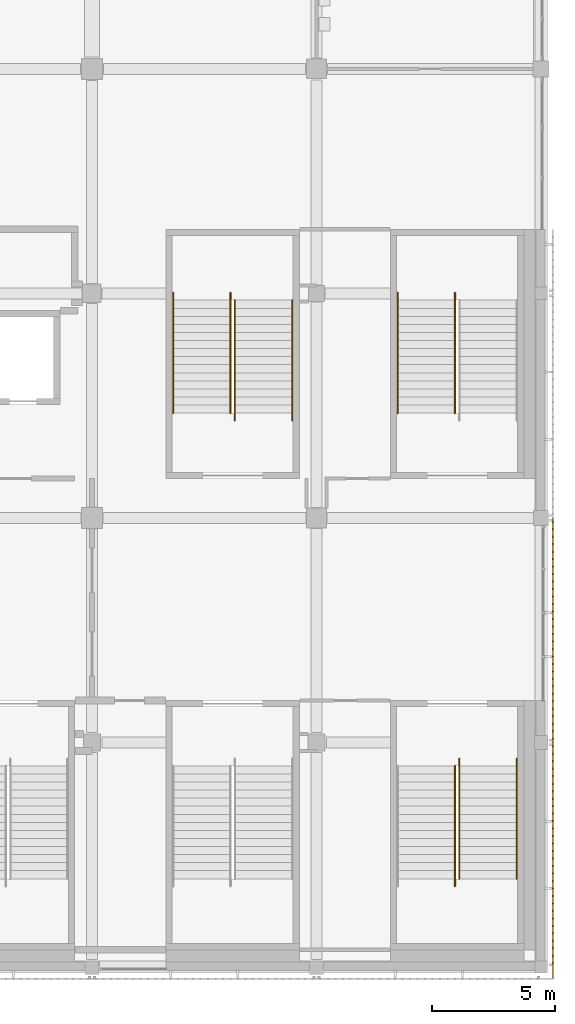
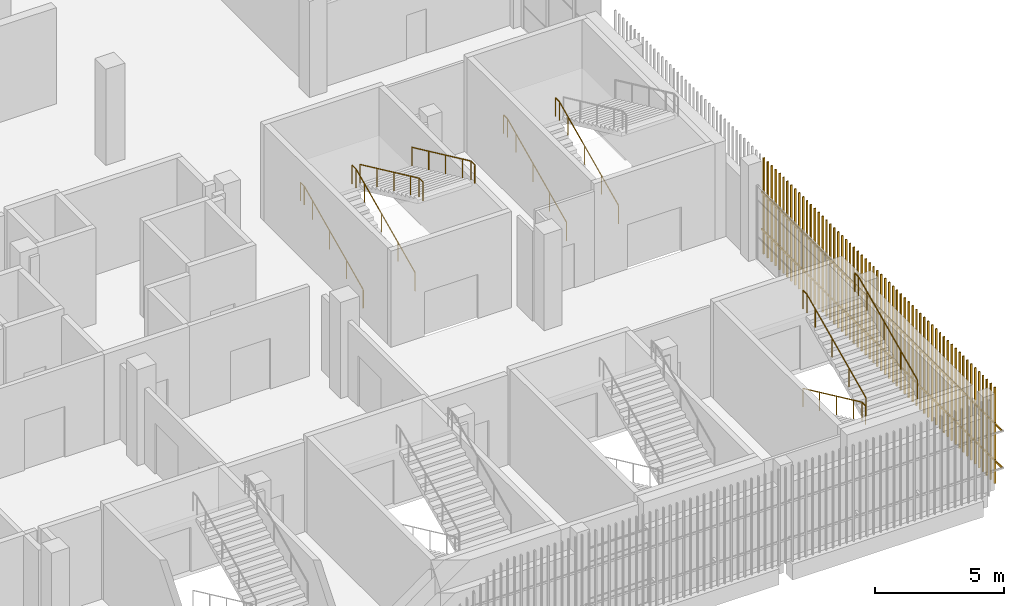
# One storey, part 121 of 126: 9 railings, 2 shading devices.
"""IFC4 building model written with IfcOpenShell, lengths in metres."""

from ifc_helpers import new_model, si_unit, direction, frame, origin, origin_2d, place, context, subcontext, project, spatial, rectangle, circle, extrude, material, type_object, element, save


model = new_model("IFC4")

# Units and contexts
model_context = context("Model", 3, precision=1e-05, world=origin(), true_north=direction((0.0, 1.0)))
body_context = subcontext(model_context, "Body", "Model", "MODEL_VIEW")
ifc_project = project(units=[si_unit("LENGTHUNIT", "METRE"), si_unit("AREAUNIT", "SQUARE_METRE"), si_unit("VOLUMEUNIT", "CUBIC_METRE"), si_unit("PLANEANGLEUNIT", "RADIAN"), si_unit("MASSUNIT", "GRAM", prefix="KILO")], contexts=[model_context])

# Site, building, storey
site_placement = place(None, origin())
site = spatial("IfcSite", under=ifc_project, at=site_placement, CompositionType="ELEMENT")
building_placement = place(site_placement, origin())
building = spatial("IfcBuilding", under=site, at=building_placement, Name="Shirokan Park Arena", CompositionType="ELEMENT")
storey_placement = place(building_placement, frame((0.0, 0.0, 6.3701171875)))
storey = spatial("IfcBuildingStorey", under=building, at=storey_placement, Name="L01", CompositionType="ELEMENT", Elevation=6.3701171875)

# Railings
ifc_material_1 = material(Name="Stainless steel", Category="steel")
railing_type = type_object("IfcRailingType", Name="Stair handrail 900", PredefinedType="HANDRAIL", material=ifc_material_1)
railing_1_placement = place(storey_placement, frame((142.110107421875, 8.14990234375, 0.151611328125)))
element("IfcRailing", 1, at=railing_1_placement, inside=storey, type_object=railing_type, Name="Handrail Exit Stair 2.A L01 to L02", PredefinedType="HANDRAIL", context=body_context, shape_type="SweptSolid", body=[
    extrude(circle(Radius=0.02392578125, at=origin_2d()), frame((0.0, 0.0, 0.8759765625), z_axis=(0.0, -0.906999720516, 0.421131222998), x_axis=(1.0, 0.0, 0.0)), (0.0, 0.0, 1.0), 1.440673828125),
    extrude(circle(Radius=0.02392578125, at=origin_2d()), frame((0.0, -1.306640625, 1.482421875), z_axis=(0.0, -0.907029769225, 0.421066500378), x_axis=(1.0, 0.0, 0.0)), (0.0, 0.0, 1.0), 1.44091796875),
    extrude(circle(Radius=0.02392578125, at=origin_2d()), frame((0.0, -2.613525390625, 2.08935546875), z_axis=(0.0, -0.907094476872, 0.420927083981), x_axis=(1.0, 0.0, 0.0)), (0.0, 0.0, 1.0), 1.440673828125),
    extrude(circle(Radius=0.02392578125, at=origin_2d()), frame((0.0, -3.92041015625, 2.69580078125), z_axis=(0.0, -0.906934982928, 0.421270621741), x_axis=(1.0, 0.0, 0.0)), (0.0, 0.0, 1.0), 0.720458984375),
    extrude(circle(Radius=0.02392578125, at=origin_2d()), frame((0.0, -4.57373046875, 2.9990234375), z_axis=(0.0, -1.0, 0.0), x_axis=(1.0, 0.0, 0.0)), (0.0, 0.0, 1.0), 0.300048828125),
    extrude(circle(Radius=0.02099609375, at=origin_2d()), origin(), (0.0, 0.0, 1.0), 0.851806640625),
    extrude(circle(Radius=0.02099609375, at=origin_2d()), frame((0.0, -1.306640625, 0.606689453125)), (0.0, 0.0, 1.0), 0.851806640625),
    extrude(circle(Radius=0.02099609375, at=origin_2d()), frame((0.0, -2.613525390625, 1.21337890625)), (0.0, 0.0, 1.0), 0.851806640625),
    extrude(circle(Radius=0.02099609375, at=origin_2d()), frame((0.0, -3.92041015625, 1.81982421875)), (0.0, 0.0, 1.0), 0.851806640625),
    extrude(circle(Radius=0.02099609375, at=origin_2d()), frame((0.0, -4.57373046875, 2.123291015625)), (0.0, 0.0, 1.0), 0.851806640625),
    extrude(circle(Radius=0.02099609375, at=origin_2d()), frame((0.0, -4.873779296875, 2.123291015625)), (0.0, 0.0, 1.0), 0.851806640625),
])
railing_2_placement = place(storey_placement, frame((142.2900390625, 3.576171875, 2.426513671875)))
element("IfcRailing", 2, at=railing_2_placement, inside=storey, type_object=railing_type, Name="Handrail Exit Stair 2.A L01 to L02", PredefinedType="HANDRAIL", context=body_context, shape_type="SweptSolid", body=[
    extrude(circle(Radius=0.02392578125, at=origin_2d()), frame((0.0, 0.0, 0.8759765625), z_axis=(0.0, 0.907029769225, 0.421066500378), x_axis=(-1.0, 0.0, 0.0)), (0.0, 0.0, 1.0), 1.44091796875),
    extrude(circle(Radius=0.02392578125, at=origin_2d()), frame((0.0, 1.306884765625, 1.482421875), z_axis=(0.0, 0.906999720516, 0.421131222998), x_axis=(-1.0, 0.0, 0.0)), (0.0, 0.0, 1.0), 1.440673828125),
    extrude(circle(Radius=0.02392578125, at=origin_2d()), frame((0.0, 2.613525390625, 2.08935546875), z_axis=(0.0, 0.907029769225, 0.421066500378), x_axis=(-1.0, 0.0, 0.0)), (0.0, 0.0, 1.0), 1.44091796875),
    extrude(circle(Radius=0.02392578125, at=origin_2d()), frame((0.0, 3.92041015625, 2.69580078125), z_axis=(0.0, 0.907064445915, 0.420991794405), x_axis=(-1.0, 0.0, 0.0)), (0.0, 0.0, 1.0), 0.72021484375),
    extrude(circle(Radius=0.02392578125, at=origin_2d()), frame((0.0, 4.57373046875, 2.9990234375), z_axis=(0.0, 1.0, 0.0), x_axis=(-1.0, 0.0, 0.0)), (0.0, 0.0, 1.0), 0.300048828125),
    extrude(circle(Radius=0.02099609375, at=origin_2d()), origin(), (0.0, 0.0, 1.0), 0.851806640625),
    extrude(circle(Radius=0.02099609375, at=origin_2d()), frame((0.0, 1.306884765625, 0.606689453125)), (0.0, 0.0, 1.0), 0.851806640625),
    extrude(circle(Radius=0.02099609375, at=origin_2d()), frame((0.0, 2.613525390625, 1.21337890625)), (0.0, 0.0, 1.0), 0.851806640625),
    extrude(circle(Radius=0.02099609375, at=origin_2d()), frame((0.0, 3.92041015625, 1.820068359375)), (0.0, 0.0, 1.0), 0.851806640625),
    extrude(circle(Radius=0.02099609375, at=origin_2d()), frame((0.0, 4.57373046875, 2.123291015625)), (0.0, 0.0, 1.0), 0.851806640625),
    extrude(circle(Radius=0.02099609375, at=origin_2d()), frame((0.0, 4.873779296875, 2.123291015625)), (0.0, 0.0, 1.0), 0.851806640625),
])
railing_3_placement = place(storey_placement, frame((144.610107421875, 3.576171875, 2.426513671875)))
element("IfcRailing", 3, at=railing_3_placement, inside=storey, type_object=railing_type, Name="Handrail Exit Stair 2.A L01 to L02", PredefinedType="HANDRAIL", context=body_context, shape_type="SweptSolid", body=[
    extrude(circle(Radius=0.02392578125, at=origin_2d()), frame((0.0, 0.0, 0.8759765625), z_axis=(0.0, 0.907029769225, 0.421066500378), x_axis=(-1.0, 0.0, 0.0)), (0.0, 0.0, 1.0), 1.44091796875),
    extrude(circle(Radius=0.02392578125, at=origin_2d()), frame((0.0, 1.306884765625, 1.482421875), z_axis=(0.0, 0.906999720516, 0.421131222998), x_axis=(-1.0, 0.0, 0.0)), (0.0, 0.0, 1.0), 1.440673828125),
    extrude(circle(Radius=0.02392578125, at=origin_2d()), frame((0.0, 2.613525390625, 2.08935546875), z_axis=(0.0, 0.907029769225, 0.421066500378), x_axis=(-1.0, 0.0, 0.0)), (0.0, 0.0, 1.0), 1.44091796875),
    extrude(circle(Radius=0.02392578125, at=origin_2d()), frame((0.0, 3.92041015625, 2.69580078125), z_axis=(0.0, 0.907064445915, 0.420991794405), x_axis=(-1.0, 0.0, 0.0)), (0.0, 0.0, 1.0), 0.72021484375),
    extrude(circle(Radius=0.02392578125, at=origin_2d()), frame((0.0, 4.57373046875, 2.9990234375), z_axis=(0.0, 1.0, 0.0), x_axis=(-1.0, 0.0, 0.0)), (0.0, 0.0, 1.0), 0.300048828125),
    extrude(circle(Radius=0.02099609375, at=origin_2d()), origin(), (0.0, 0.0, 1.0), 0.851806640625),
    extrude(circle(Radius=0.02099609375, at=origin_2d()), frame((0.0, 1.306884765625, 0.606689453125)), (0.0, 0.0, 1.0), 0.851806640625),
    extrude(circle(Radius=0.02099609375, at=origin_2d()), frame((0.0, 2.613525390625, 1.21337890625)), (0.0, 0.0, 1.0), 0.851806640625),
    extrude(circle(Radius=0.02099609375, at=origin_2d()), frame((0.0, 3.92041015625, 1.820068359375)), (0.0, 0.0, 1.0), 0.851806640625),
    extrude(circle(Radius=0.02099609375, at=origin_2d()), frame((0.0, 4.57373046875, 2.123291015625)), (0.0, 0.0, 1.0), 0.851806640625),
    extrude(circle(Radius=0.02099609375, at=origin_2d()), frame((0.0, 4.873779296875, 2.123291015625)), (0.0, 0.0, 1.0), 0.851806640625),
])
railing_4_placement = place(storey_placement, frame((139.7900390625, 22.449951171875, 0.151611328125)))
element("IfcRailing", 4, at=railing_4_placement, inside=storey, type_object=railing_type, Name="Handrail Exit Stair 2.E L01 to L02", PredefinedType="HANDRAIL", context=body_context, shape_type="SweptSolid", body=[
    extrude(circle(Radius=0.02392578125, at=origin_2d()), frame((0.0, 0.0, 0.8759765625), z_axis=(0.0, 0.907029769225, 0.421066500378), x_axis=(-1.0, 0.0, 0.0)), (0.0, 0.0, 1.0), 1.44091796875),
    extrude(circle(Radius=0.02392578125, at=origin_2d()), frame((0.0, 1.306884765625, 1.482421875), z_axis=(0.0, 0.907029769225, 0.421066500378), x_axis=(-1.0, 0.0, 0.0)), (0.0, 0.0, 1.0), 1.44091796875),
    extrude(circle(Radius=0.02392578125, at=origin_2d()), frame((0.0, 2.61376953125, 2.08935546875), z_axis=(0.0, 0.907064445915, 0.420991794405), x_axis=(-1.0, 0.0, 0.0)), (0.0, 0.0, 1.0), 1.4404296875),
    extrude(circle(Radius=0.02392578125, at=origin_2d()), frame((0.0, 3.92041015625, 2.69580078125), z_axis=(0.0, 0.906934982928, 0.421270621741), x_axis=(-1.0, 0.0, 0.0)), (0.0, 0.0, 1.0), 0.720458984375),
    extrude(circle(Radius=0.02392578125, at=origin_2d()), frame((0.0, 4.57373046875, 2.9990234375), z_axis=(0.0, 1.0, 0.0), x_axis=(-1.0, 0.0, 0.0)), (0.0, 0.0, 1.0), 0.300048828125),
    extrude(circle(Radius=0.02099609375, at=origin_2d()), origin(), (0.0, 0.0, 1.0), 0.851806640625),
    extrude(circle(Radius=0.02099609375, at=origin_2d()), frame((0.0, 1.306884765625, 0.606689453125)), (0.0, 0.0, 1.0), 0.851806640625),
    extrude(circle(Radius=0.02099609375, at=origin_2d()), frame((0.0, 2.61376953125, 1.21337890625)), (0.0, 0.0, 1.0), 0.851806640625),
    extrude(circle(Radius=0.02099609375, at=origin_2d()), frame((0.0, 3.92041015625, 1.81982421875)), (0.0, 0.0, 1.0), 0.851806640625),
    extrude(circle(Radius=0.02099609375, at=origin_2d()), frame((0.0, 4.57373046875, 2.123291015625)), (0.0, 0.0, 1.0), 0.851806640625),
    extrude(circle(Radius=0.02099609375, at=origin_2d()), frame((0.0, 4.873779296875, 2.123291015625)), (0.0, 0.0, 1.0), 0.851806640625),
])
railing_5_placement = place(storey_placement, frame((142.110107421875, 22.449951171875, 0.151611328125)))
element("IfcRailing", 5, at=railing_5_placement, inside=storey, type_object=railing_type, Name="Handrail Exit Stair 2.E L01 to L02", PredefinedType="HANDRAIL", context=body_context, shape_type="SweptSolid", body=[
    extrude(circle(Radius=0.02392578125, at=origin_2d()), frame((0.0, 0.0, 0.8759765625), z_axis=(0.0, 0.907029769225, 0.421066500378), x_axis=(-1.0, 0.0, 0.0)), (0.0, 0.0, 1.0), 1.44091796875),
    extrude(circle(Radius=0.02392578125, at=origin_2d()), frame((0.0, 1.306884765625, 1.482421875), z_axis=(0.0, 0.907029769225, 0.421066500378), x_axis=(-1.0, 0.0, 0.0)), (0.0, 0.0, 1.0), 1.44091796875),
    extrude(circle(Radius=0.02392578125, at=origin_2d()), frame((0.0, 2.61376953125, 2.08935546875), z_axis=(0.0, 0.907064445915, 0.420991794405), x_axis=(-1.0, 0.0, 0.0)), (0.0, 0.0, 1.0), 1.4404296875),
    extrude(circle(Radius=0.02392578125, at=origin_2d()), frame((0.0, 3.92041015625, 2.69580078125), z_axis=(0.0, 0.906934982928, 0.421270621741), x_axis=(-1.0, 0.0, 0.0)), (0.0, 0.0, 1.0), 0.720458984375),
    extrude(circle(Radius=0.02392578125, at=origin_2d()), frame((0.0, 4.57373046875, 2.9990234375), z_axis=(0.0, 1.0, 0.0), x_axis=(-1.0, 0.0, 0.0)), (0.0, 0.0, 1.0), 0.300048828125),
    extrude(circle(Radius=0.02099609375, at=origin_2d()), origin(), (0.0, 0.0, 1.0), 0.851806640625),
    extrude(circle(Radius=0.02099609375, at=origin_2d()), frame((0.0, 1.306884765625, 0.606689453125)), (0.0, 0.0, 1.0), 0.851806640625),
    extrude(circle(Radius=0.02099609375, at=origin_2d()), frame((0.0, 2.61376953125, 1.21337890625)), (0.0, 0.0, 1.0), 0.851806640625),
    extrude(circle(Radius=0.02099609375, at=origin_2d()), frame((0.0, 3.92041015625, 1.81982421875)), (0.0, 0.0, 1.0), 0.851806640625),
    extrude(circle(Radius=0.02099609375, at=origin_2d()), frame((0.0, 4.57373046875, 2.123291015625)), (0.0, 0.0, 1.0), 0.851806640625),
    extrude(circle(Radius=0.02099609375, at=origin_2d()), frame((0.0, 4.873779296875, 2.123291015625)), (0.0, 0.0, 1.0), 0.851806640625),
])
railing_6_placement = place(storey_placement, frame((130.68994140625, 22.449951171875, 0.151611328125)))
element("IfcRailing", 6, at=railing_6_placement, inside=storey, type_object=railing_type, Name="Handrail Exit Stair 2.F L01 to L02", PredefinedType="HANDRAIL", context=body_context, shape_type="SweptSolid", body=[
    extrude(circle(Radius=0.02392578125, at=origin_2d()), frame((0.0, 0.0, 0.8759765625), z_axis=(0.0, 0.907029769225, 0.421066500378), x_axis=(-1.0, 0.0, 0.0)), (0.0, 0.0, 1.0), 1.44091796875),
    extrude(circle(Radius=0.02392578125, at=origin_2d()), frame((0.0, 1.306884765625, 1.482421875), z_axis=(0.0, 0.907029769225, 0.421066500378), x_axis=(-1.0, 0.0, 0.0)), (0.0, 0.0, 1.0), 1.44091796875),
    extrude(circle(Radius=0.02392578125, at=origin_2d()), frame((0.0, 2.61376953125, 2.08935546875), z_axis=(0.0, 0.907064445915, 0.420991794405), x_axis=(-1.0, 0.0, 0.0)), (0.0, 0.0, 1.0), 1.4404296875),
    extrude(circle(Radius=0.02392578125, at=origin_2d()), frame((0.0, 3.92041015625, 2.69580078125), z_axis=(0.0, 0.906934982928, 0.421270621741), x_axis=(-1.0, 0.0, 0.0)), (0.0, 0.0, 1.0), 0.720458984375),
    extrude(circle(Radius=0.02392578125, at=origin_2d()), frame((0.0, 4.57373046875, 2.9990234375), z_axis=(0.0, 1.0, 0.0), x_axis=(-1.0, 0.0, 0.0)), (0.0, 0.0, 1.0), 0.300048828125),
    extrude(circle(Radius=0.02099609375, at=origin_2d()), origin(), (0.0, 0.0, 1.0), 0.851806640625),
    extrude(circle(Radius=0.02099609375, at=origin_2d()), frame((0.0, 1.306884765625, 0.606689453125)), (0.0, 0.0, 1.0), 0.851806640625),
    extrude(circle(Radius=0.02099609375, at=origin_2d()), frame((0.0, 2.61376953125, 1.21337890625)), (0.0, 0.0, 1.0), 0.851806640625),
    extrude(circle(Radius=0.02099609375, at=origin_2d()), frame((0.0, 3.92041015625, 1.81982421875)), (0.0, 0.0, 1.0), 0.851806640625),
    extrude(circle(Radius=0.02099609375, at=origin_2d()), frame((0.0, 4.57373046875, 2.123291015625)), (0.0, 0.0, 1.0), 0.851806640625),
    extrude(circle(Radius=0.02099609375, at=origin_2d()), frame((0.0, 4.873779296875, 2.123291015625)), (0.0, 0.0, 1.0), 0.851806640625),
])
railing_7_placement = place(storey_placement, frame((133.010009765625, 22.449951171875, 0.151611328125)))
element("IfcRailing", 7, at=railing_7_placement, inside=storey, type_object=railing_type, Name="Handrail Exit Stair 2.F L01 to L02", PredefinedType="HANDRAIL", context=body_context, shape_type="SweptSolid", body=[
    extrude(circle(Radius=0.02392578125, at=origin_2d()), frame((0.0, 0.0, 0.8759765625), z_axis=(0.0, 0.907029769225, 0.421066500378), x_axis=(-1.0, 0.0, 0.0)), (0.0, 0.0, 1.0), 1.44091796875),
    extrude(circle(Radius=0.02392578125, at=origin_2d()), frame((0.0, 1.306884765625, 1.482421875), z_axis=(0.0, 0.907029769225, 0.421066500378), x_axis=(-1.0, 0.0, 0.0)), (0.0, 0.0, 1.0), 1.44091796875),
    extrude(circle(Radius=0.02392578125, at=origin_2d()), frame((0.0, 2.61376953125, 2.08935546875), z_axis=(0.0, 0.907064445915, 0.420991794405), x_axis=(-1.0, 0.0, 0.0)), (0.0, 0.0, 1.0), 1.4404296875),
    extrude(circle(Radius=0.02392578125, at=origin_2d()), frame((0.0, 3.92041015625, 2.69580078125), z_axis=(0.0, 0.906934982928, 0.421270621741), x_axis=(-1.0, 0.0, 0.0)), (0.0, 0.0, 1.0), 0.720458984375),
    extrude(circle(Radius=0.02392578125, at=origin_2d()), frame((0.0, 4.57373046875, 2.9990234375), z_axis=(0.0, 1.0, 0.0), x_axis=(-1.0, 0.0, 0.0)), (0.0, 0.0, 1.0), 0.300048828125),
    extrude(circle(Radius=0.02099609375, at=origin_2d()), origin(), (0.0, 0.0, 1.0), 0.851806640625),
    extrude(circle(Radius=0.02099609375, at=origin_2d()), frame((0.0, 1.306884765625, 0.606689453125)), (0.0, 0.0, 1.0), 0.851806640625),
    extrude(circle(Radius=0.02099609375, at=origin_2d()), frame((0.0, 2.61376953125, 1.21337890625)), (0.0, 0.0, 1.0), 0.851806640625),
    extrude(circle(Radius=0.02099609375, at=origin_2d()), frame((0.0, 3.92041015625, 1.81982421875)), (0.0, 0.0, 1.0), 0.851806640625),
    extrude(circle(Radius=0.02099609375, at=origin_2d()), frame((0.0, 4.57373046875, 2.123291015625)), (0.0, 0.0, 1.0), 0.851806640625),
    extrude(circle(Radius=0.02099609375, at=origin_2d()), frame((0.0, 4.873779296875, 2.123291015625)), (0.0, 0.0, 1.0), 0.851806640625),
])
railing_8_placement = place(storey_placement, frame((133.18994140625, 27.023681640625, 2.426513671875)))
element("IfcRailing", 8, at=railing_8_placement, inside=storey, type_object=railing_type, Name="Handrail Exit Stair 2.F L01 to L02", PredefinedType="HANDRAIL", context=body_context, shape_type="SweptSolid", body=[
    extrude(circle(Radius=0.02392578125, at=origin_2d()), frame((0.0, 0.0, 0.8759765625), z_axis=(0.0, -0.906999720516, 0.421131222998), x_axis=(1.0, 0.0, 0.0)), (0.0, 0.0, 1.0), 1.440673828125),
    extrude(circle(Radius=0.02392578125, at=origin_2d()), frame((0.0, -1.306640625, 1.482421875), z_axis=(0.0, -0.907029769225, 0.421066500378), x_axis=(1.0, 0.0, 0.0)), (0.0, 0.0, 1.0), 1.44091796875),
    extrude(circle(Radius=0.02392578125, at=origin_2d()), frame((0.0, -2.613525390625, 2.08935546875), z_axis=(0.0, -0.906999720516, 0.421131222998), x_axis=(1.0, 0.0, 0.0)), (0.0, 0.0, 1.0), 1.440673828125),
    extrude(circle(Radius=0.02392578125, at=origin_2d()), frame((0.0, -3.920166015625, 2.69580078125), z_axis=(0.0, -0.907124493983, 0.420862391306), x_axis=(1.0, 0.0, 0.0)), (0.0, 0.0, 1.0), 0.720458984375),
    extrude(circle(Radius=0.02392578125, at=origin_2d()), frame((0.0, -4.57373046875, 2.9990234375), z_axis=(0.0, -1.0, 0.0), x_axis=(1.0, 0.0, 0.0)), (0.0, 0.0, 1.0), 0.300048828125),
    extrude(circle(Radius=0.02099609375, at=origin_2d()), origin(), (0.0, 0.0, 1.0), 0.851806640625),
    extrude(circle(Radius=0.02099609375, at=origin_2d()), frame((0.0, -1.306640625, 0.606689453125)), (0.0, 0.0, 1.0), 0.851806640625),
    extrude(circle(Radius=0.02099609375, at=origin_2d()), frame((0.0, -2.613525390625, 1.21337890625)), (0.0, 0.0, 1.0), 0.851806640625),
    extrude(circle(Radius=0.02099609375, at=origin_2d()), frame((0.0, -3.920166015625, 1.820068359375)), (0.0, 0.0, 1.0), 0.851806640625),
    extrude(circle(Radius=0.02099609375, at=origin_2d()), frame((0.0, -4.57373046875, 2.123291015625)), (0.0, 0.0, 1.0), 0.851806640625),
    extrude(circle(Radius=0.02099609375, at=origin_2d()), frame((0.0, -4.873779296875, 2.123291015625)), (0.0, 0.0, 1.0), 0.851806640625),
])
railing_9_placement = place(storey_placement, frame((135.510009765625, 27.023681640625, 2.426513671875)))
element("IfcRailing", 9, at=railing_9_placement, inside=storey, type_object=railing_type, Name="Handrail Exit Stair 2.F L01 to L02", PredefinedType="HANDRAIL", context=body_context, shape_type="SweptSolid", body=[
    extrude(circle(Radius=0.02392578125, at=origin_2d()), frame((0.0, 0.0, 0.8759765625), z_axis=(0.0, -0.906999720516, 0.421131222998), x_axis=(1.0, 0.0, 0.0)), (0.0, 0.0, 1.0), 1.440673828125),
    extrude(circle(Radius=0.02392578125, at=origin_2d()), frame((0.0, -1.306640625, 1.482421875), z_axis=(0.0, -0.907029769225, 0.421066500378), x_axis=(1.0, 0.0, 0.0)), (0.0, 0.0, 1.0), 1.44091796875),
    extrude(circle(Radius=0.02392578125, at=origin_2d()), frame((0.0, -2.613525390625, 2.08935546875), z_axis=(0.0, -0.906999720516, 0.421131222998), x_axis=(1.0, 0.0, 0.0)), (0.0, 0.0, 1.0), 1.440673828125),
    extrude(circle(Radius=0.02392578125, at=origin_2d()), frame((0.0, -3.920166015625, 2.69580078125), z_axis=(0.0, -0.907124493983, 0.420862391306), x_axis=(1.0, 0.0, 0.0)), (0.0, 0.0, 1.0), 0.720458984375),
    extrude(circle(Radius=0.02392578125, at=origin_2d()), frame((0.0, -4.57373046875, 2.9990234375), z_axis=(0.0, -1.0, 0.0), x_axis=(1.0, 0.0, 0.0)), (0.0, 0.0, 1.0), 0.300048828125),
    extrude(circle(Radius=0.02099609375, at=origin_2d()), origin(), (0.0, 0.0, 1.0), 0.851806640625),
    extrude(circle(Radius=0.02099609375, at=origin_2d()), frame((0.0, -1.306640625, 0.606689453125)), (0.0, 0.0, 1.0), 0.851806640625),
    extrude(circle(Radius=0.02099609375, at=origin_2d()), frame((0.0, -2.613525390625, 1.21337890625)), (0.0, 0.0, 1.0), 0.851806640625),
    extrude(circle(Radius=0.02099609375, at=origin_2d()), frame((0.0, -3.920166015625, 1.820068359375)), (0.0, 0.0, 1.0), 0.851806640625),
    extrude(circle(Radius=0.02099609375, at=origin_2d()), frame((0.0, -4.57373046875, 2.123291015625)), (0.0, 0.0, 1.0), 0.851806640625),
    extrude(circle(Radius=0.02099609375, at=origin_2d()), frame((0.0, -4.873779296875, 2.123291015625)), (0.0, 0.0, 1.0), 0.851806640625),
])

# Shading devices
ifc_material_2 = material(Name="Timber louvre veil (cedar)", Category="wood")
shading_device_type = type_object("IfcShadingDeviceType", Name="Timber louvre veil panel", PredefinedType="JALOUSIE", material=ifc_material_2)
shading_device_1_placement = place(storey_placement, origin())
element("IfcShadingDevice", 10, at=shading_device_1_placement, inside=storey, type_object=shading_device_type, Name="Timber louvre veil east bay 1 L01", PredefinedType="JALOUSIE", context=body_context, shape_type="SweptSolid", body=[
    extrude(rectangle(XDim=0.050048828125, YDim=0.080078125, at=origin_2d()), frame((146.0849609375, 0.151611328125, 0.0), z_axis=(0.0, 0.0, 1.0), x_axis=(0.0, 1.0, 0.0)), (0.0, 0.0, 1.0), 4.550048828125),
    extrude(rectangle(XDim=0.050048828125, YDim=0.080078125, at=origin_2d()), frame((146.0849609375, 0.455078125, 0.0), z_axis=(0.0, 0.0, 1.0), x_axis=(0.0, 1.0, 0.0)), (0.0, 0.0, 1.0), 4.550048828125),
    extrude(rectangle(XDim=0.050048828125, YDim=0.080078125, at=origin_2d()), frame((146.0849609375, 0.75830078125, 0.0), z_axis=(0.0, 0.0, 1.0), x_axis=(0.0, 1.0, 0.0)), (0.0, 0.0, 1.0), 4.550048828125),
    extrude(rectangle(XDim=0.050048828125, YDim=0.080078125, at=origin_2d()), frame((146.0849609375, 1.061767578125, 0.0), z_axis=(0.0, 0.0, 1.0), x_axis=(0.0, 1.0, 0.0)), (0.0, 0.0, 1.0), 4.550048828125),
    extrude(rectangle(XDim=0.050048828125, YDim=0.080078125, at=origin_2d()), frame((146.0849609375, 1.364990234375, 0.0), z_axis=(0.0, 0.0, 1.0), x_axis=(0.0, 1.0, 0.0)), (0.0, 0.0, 1.0), 4.550048828125),
    extrude(rectangle(XDim=0.050048828125, YDim=0.080078125, at=origin_2d()), frame((146.0849609375, 1.668212890625, 0.0), z_axis=(0.0, 0.0, 1.0), x_axis=(0.0, 1.0, 0.0)), (0.0, 0.0, 1.0), 4.550048828125),
    extrude(rectangle(XDim=0.050048828125, YDim=0.080078125, at=origin_2d()), frame((146.0849609375, 1.9716796875, 0.0), z_axis=(0.0, 0.0, 1.0), x_axis=(0.0, 1.0, 0.0)), (0.0, 0.0, 1.0), 4.550048828125),
    extrude(rectangle(XDim=0.050048828125, YDim=0.080078125, at=origin_2d()), frame((146.0849609375, 2.27490234375, 0.0), z_axis=(0.0, 0.0, 1.0), x_axis=(0.0, 1.0, 0.0)), (0.0, 0.0, 1.0), 4.550048828125),
    extrude(rectangle(XDim=0.050048828125, YDim=0.080078125, at=origin_2d()), frame((146.0849609375, 2.578369140625, 0.0), z_axis=(0.0, 0.0, 1.0), x_axis=(0.0, 1.0, 0.0)), (0.0, 0.0, 1.0), 4.550048828125),
    extrude(rectangle(XDim=0.050048828125, YDim=0.080078125, at=origin_2d()), frame((146.0849609375, 2.881591796875, 0.0), z_axis=(0.0, 0.0, 1.0), x_axis=(0.0, 1.0, 0.0)), (0.0, 0.0, 1.0), 4.550048828125),
    extrude(rectangle(XDim=0.050048828125, YDim=0.080078125, at=origin_2d()), frame((146.0849609375, 3.18505859375, 0.0), z_axis=(0.0, 0.0, 1.0), x_axis=(0.0, 1.0, 0.0)), (0.0, 0.0, 1.0), 4.550048828125),
    extrude(rectangle(XDim=0.050048828125, YDim=0.080078125, at=origin_2d()), frame((146.0849609375, 3.48828125, 0.0), z_axis=(0.0, 0.0, 1.0), x_axis=(0.0, 1.0, 0.0)), (0.0, 0.0, 1.0), 4.550048828125),
    extrude(rectangle(XDim=0.050048828125, YDim=0.080078125, at=origin_2d()), frame((146.0849609375, 3.791748046875, 0.0), z_axis=(0.0, 0.0, 1.0), x_axis=(0.0, 1.0, 0.0)), (0.0, 0.0, 1.0), 4.550048828125),
    extrude(rectangle(XDim=0.050048828125, YDim=0.080078125, at=origin_2d()), frame((146.0849609375, 4.094970703125, 0.0), z_axis=(0.0, 0.0, 1.0), x_axis=(0.0, 1.0, 0.0)), (0.0, 0.0, 1.0), 4.550048828125),
    extrude(rectangle(XDim=0.050048828125, YDim=0.080078125, at=origin_2d()), frame((146.0849609375, 4.3984375, 0.0), z_axis=(0.0, 0.0, 1.0), x_axis=(0.0, 1.0, 0.0)), (0.0, 0.0, 1.0), 4.550048828125),
    extrude(rectangle(XDim=0.050048828125, YDim=0.080078125, at=origin_2d()), frame((146.0849609375, 4.70166015625, 0.0), z_axis=(0.0, 0.0, 1.0), x_axis=(0.0, 1.0, 0.0)), (0.0, 0.0, 1.0), 4.550048828125),
    extrude(rectangle(XDim=0.050048828125, YDim=0.080078125, at=origin_2d()), frame((146.0849609375, 5.0048828125, 0.0), z_axis=(0.0, 0.0, 1.0), x_axis=(0.0, 1.0, 0.0)), (0.0, 0.0, 1.0), 4.550048828125),
    extrude(rectangle(XDim=0.050048828125, YDim=0.080078125, at=origin_2d()), frame((146.0849609375, 5.308349609375, 0.0), z_axis=(0.0, 0.0, 1.0), x_axis=(0.0, 1.0, 0.0)), (0.0, 0.0, 1.0), 4.550048828125),
    extrude(rectangle(XDim=0.050048828125, YDim=0.080078125, at=origin_2d()), frame((146.0849609375, 5.611572265625, 0.0), z_axis=(0.0, 0.0, 1.0), x_axis=(0.0, 1.0, 0.0)), (0.0, 0.0, 1.0), 4.550048828125),
    extrude(rectangle(XDim=0.050048828125, YDim=0.080078125, at=origin_2d()), frame((146.0849609375, 5.9150390625, 0.0), z_axis=(0.0, 0.0, 1.0), x_axis=(0.0, 1.0, 0.0)), (0.0, 0.0, 1.0), 4.550048828125),
    extrude(rectangle(XDim=0.050048828125, YDim=0.080078125, at=origin_2d()), frame((146.0849609375, 6.21826171875, 0.0), z_axis=(0.0, 0.0, 1.0), x_axis=(0.0, 1.0, 0.0)), (0.0, 0.0, 1.0), 4.550048828125),
    extrude(rectangle(XDim=0.050048828125, YDim=0.080078125, at=origin_2d()), frame((146.0849609375, 6.521728515625, 0.0), z_axis=(0.0, 0.0, 1.0), x_axis=(0.0, 1.0, 0.0)), (0.0, 0.0, 1.0), 4.550048828125),
    extrude(rectangle(XDim=0.050048828125, YDim=0.080078125, at=origin_2d()), frame((146.0849609375, 6.824951171875, 0.0), z_axis=(0.0, 0.0, 1.0), x_axis=(0.0, 1.0, 0.0)), (0.0, 0.0, 1.0), 4.550048828125),
    extrude(rectangle(XDim=0.050048828125, YDim=0.080078125, at=origin_2d()), frame((146.0849609375, 7.12841796875, 0.0), z_axis=(0.0, 0.0, 1.0), x_axis=(0.0, 1.0, 0.0)), (0.0, 0.0, 1.0), 4.550048828125),
    extrude(rectangle(XDim=0.050048828125, YDim=0.080078125, at=origin_2d()), frame((146.0849609375, 7.431640625, 0.0), z_axis=(0.0, 0.0, 1.0), x_axis=(0.0, 1.0, 0.0)), (0.0, 0.0, 1.0), 4.550048828125),
    extrude(rectangle(XDim=0.050048828125, YDim=0.080078125, at=origin_2d()), frame((146.0849609375, 7.735107421875, 0.0), z_axis=(0.0, 0.0, 1.0), x_axis=(0.0, 1.0, 0.0)), (0.0, 0.0, 1.0), 4.550048828125),
    extrude(rectangle(XDim=0.050048828125, YDim=0.080078125, at=origin_2d()), frame((146.0849609375, 8.038330078125, 0.0), z_axis=(0.0, 0.0, 1.0), x_axis=(0.0, 1.0, 0.0)), (0.0, 0.0, 1.0), 4.550048828125),
    extrude(rectangle(XDim=0.050048828125, YDim=0.080078125, at=origin_2d()), frame((146.0849609375, 8.341552734375, 0.0), z_axis=(0.0, 0.0, 1.0), x_axis=(0.0, 1.0, 0.0)), (0.0, 0.0, 1.0), 4.550048828125),
    extrude(rectangle(XDim=0.050048828125, YDim=0.080078125, at=origin_2d()), frame((146.0849609375, 8.64501953125, 0.0), z_axis=(0.0, 0.0, 1.0), x_axis=(0.0, 1.0, 0.0)), (0.0, 0.0, 1.0), 4.550048828125),
    extrude(rectangle(XDim=0.050048828125, YDim=0.080078125, at=origin_2d()), frame((146.0849609375, 8.9482421875, 0.0), z_axis=(0.0, 0.0, 1.0), x_axis=(0.0, 1.0, 0.0)), (0.0, 0.0, 1.0), 4.550048828125),
    extrude(rectangle(XDim=9.544921875, YDim=0.050048828125, at=origin_2d()), frame((146.070068359375, 4.327392578125, 1.059814453125), z_axis=(0.0, 0.0, 1.0), x_axis=(0.0, 1.0, 0.0)), (0.0, 0.0, 1.0), 0.080078125),
    extrude(rectangle(XDim=9.544921875, YDim=0.050048828125, at=origin_2d()), frame((146.070068359375, 4.327392578125, 2.809814453125), z_axis=(0.0, 0.0, 1.0), x_axis=(0.0, 1.0, 0.0)), (0.0, 0.0, 1.0), 0.080078125),
])
shading_device_2_placement = place(storey_placement, origin())
element("IfcShadingDevice", 11, at=shading_device_2_placement, inside=storey, type_object=shading_device_type, Name="Timber louvre veil east bay 2 L01", PredefinedType="JALOUSIE", context=body_context, shape_type="SweptSolid", body=[
    extrude(rectangle(XDim=0.050048828125, YDim=0.080078125, at=origin_2d()), frame((146.0849609375, 9.251708984375, 0.0), z_axis=(0.0, 0.0, 1.0), x_axis=(0.0, 1.0, 0.0)), (0.0, 0.0, 1.0), 4.550048828125),
    extrude(rectangle(XDim=0.050048828125, YDim=0.080078125, at=origin_2d()), frame((146.0849609375, 9.554931640625, 0.0), z_axis=(0.0, 0.0, 1.0), x_axis=(0.0, 1.0, 0.0)), (0.0, 0.0, 1.0), 4.550048828125),
    extrude(rectangle(XDim=0.050048828125, YDim=0.080078125, at=origin_2d()), frame((146.0849609375, 9.8583984375, 0.0), z_axis=(0.0, 0.0, 1.0), x_axis=(0.0, 1.0, 0.0)), (0.0, 0.0, 1.0), 4.550048828125),
    extrude(rectangle(XDim=0.050048828125, YDim=0.080078125, at=origin_2d()), frame((146.0849609375, 10.16162109375, 0.0), z_axis=(0.0, 0.0, 1.0), x_axis=(0.0, 1.0, 0.0)), (0.0, 0.0, 1.0), 4.550048828125),
    extrude(rectangle(XDim=0.050048828125, YDim=0.080078125, at=origin_2d()), frame((146.0849609375, 10.465087890625, 0.0), z_axis=(0.0, 0.0, 1.0), x_axis=(0.0, 1.0, 0.0)), (0.0, 0.0, 1.0), 4.550048828125),
    extrude(rectangle(XDim=0.050048828125, YDim=0.080078125, at=origin_2d()), frame((146.0849609375, 10.768310546875, 0.0), z_axis=(0.0, 0.0, 1.0), x_axis=(0.0, 1.0, 0.0)), (0.0, 0.0, 1.0), 4.550048828125),
    extrude(rectangle(XDim=0.050048828125, YDim=0.080078125, at=origin_2d()), frame((146.0849609375, 11.07177734375, 0.0), z_axis=(0.0, 0.0, 1.0), x_axis=(0.0, 1.0, 0.0)), (0.0, 0.0, 1.0), 4.550048828125),
    extrude(rectangle(XDim=0.050048828125, YDim=0.080078125, at=origin_2d()), frame((146.0849609375, 11.375, 0.0), z_axis=(0.0, 0.0, 1.0), x_axis=(0.0, 1.0, 0.0)), (0.0, 0.0, 1.0), 4.550048828125),
    extrude(rectangle(XDim=0.050048828125, YDim=0.080078125, at=origin_2d()), frame((146.0849609375, 11.67822265625, 0.0), z_axis=(0.0, 0.0, 1.0), x_axis=(0.0, 1.0, 0.0)), (0.0, 0.0, 1.0), 4.550048828125),
    extrude(rectangle(XDim=0.050048828125, YDim=0.080078125, at=origin_2d()), frame((146.0849609375, 11.981689453125, 0.0), z_axis=(0.0, 0.0, 1.0), x_axis=(0.0, 1.0, 0.0)), (0.0, 0.0, 1.0), 4.550048828125),
    extrude(rectangle(XDim=0.050048828125, YDim=0.080078125, at=origin_2d()), frame((146.0849609375, 12.284912109375, 0.0), z_axis=(0.0, 0.0, 1.0), x_axis=(0.0, 1.0, 0.0)), (0.0, 0.0, 1.0), 4.550048828125),
    extrude(rectangle(XDim=0.050048828125, YDim=0.080078125, at=origin_2d()), frame((146.0849609375, 12.58837890625, 0.0), z_axis=(0.0, 0.0, 1.0), x_axis=(0.0, 1.0, 0.0)), (0.0, 0.0, 1.0), 4.550048828125),
    extrude(rectangle(XDim=0.050048828125, YDim=0.080078125, at=origin_2d()), frame((146.0849609375, 12.8916015625, 0.0), z_axis=(0.0, 0.0, 1.0), x_axis=(0.0, 1.0, 0.0)), (0.0, 0.0, 1.0), 4.550048828125),
    extrude(rectangle(XDim=0.050048828125, YDim=0.080078125, at=origin_2d()), frame((146.0849609375, 13.195068359375, 0.0), z_axis=(0.0, 0.0, 1.0), x_axis=(0.0, 1.0, 0.0)), (0.0, 0.0, 1.0), 4.550048828125),
    extrude(rectangle(XDim=0.050048828125, YDim=0.080078125, at=origin_2d()), frame((146.0849609375, 13.498291015625, 0.0), z_axis=(0.0, 0.0, 1.0), x_axis=(0.0, 1.0, 0.0)), (0.0, 0.0, 1.0), 4.550048828125),
    extrude(rectangle(XDim=0.050048828125, YDim=0.080078125, at=origin_2d()), frame((146.0849609375, 13.8017578125, 0.0), z_axis=(0.0, 0.0, 1.0), x_axis=(0.0, 1.0, 0.0)), (0.0, 0.0, 1.0), 4.550048828125),
    extrude(rectangle(XDim=0.050048828125, YDim=0.080078125, at=origin_2d()), frame((146.0849609375, 14.10498046875, 0.0), z_axis=(0.0, 0.0, 1.0), x_axis=(0.0, 1.0, 0.0)), (0.0, 0.0, 1.0), 4.550048828125),
    extrude(rectangle(XDim=0.050048828125, YDim=0.080078125, at=origin_2d()), frame((146.0849609375, 14.408447265625, 0.0), z_axis=(0.0, 0.0, 1.0), x_axis=(0.0, 1.0, 0.0)), (0.0, 0.0, 1.0), 4.550048828125),
    extrude(rectangle(XDim=0.050048828125, YDim=0.080078125, at=origin_2d()), frame((146.0849609375, 14.711669921875, 0.0), z_axis=(0.0, 0.0, 1.0), x_axis=(0.0, 1.0, 0.0)), (0.0, 0.0, 1.0), 4.550048828125),
    extrude(rectangle(XDim=0.050048828125, YDim=0.080078125, at=origin_2d()), frame((146.0849609375, 15.014892578125, 0.0), z_axis=(0.0, 0.0, 1.0), x_axis=(0.0, 1.0, 0.0)), (0.0, 0.0, 1.0), 4.550048828125),
    extrude(rectangle(XDim=0.050048828125, YDim=0.080078125, at=origin_2d()), frame((146.0849609375, 15.318359375, 0.0), z_axis=(0.0, 0.0, 1.0), x_axis=(0.0, 1.0, 0.0)), (0.0, 0.0, 1.0), 4.550048828125),
    extrude(rectangle(XDim=0.050048828125, YDim=0.080078125, at=origin_2d()), frame((146.0849609375, 15.62158203125, 0.0), z_axis=(0.0, 0.0, 1.0), x_axis=(0.0, 1.0, 0.0)), (0.0, 0.0, 1.0), 4.550048828125),
    extrude(rectangle(XDim=0.050048828125, YDim=0.080078125, at=origin_2d()), frame((146.0849609375, 15.925048828125, 0.0), z_axis=(0.0, 0.0, 1.0), x_axis=(0.0, 1.0, 0.0)), (0.0, 0.0, 1.0), 4.550048828125),
    extrude(rectangle(XDim=0.050048828125, YDim=0.080078125, at=origin_2d()), frame((146.0849609375, 16.228271484375, 0.0), z_axis=(0.0, 0.0, 1.0), x_axis=(0.0, 1.0, 0.0)), (0.0, 0.0, 1.0), 4.550048828125),
    extrude(rectangle(XDim=0.050048828125, YDim=0.080078125, at=origin_2d()), frame((146.0849609375, 16.53173828125, 0.0), z_axis=(0.0, 0.0, 1.0), x_axis=(0.0, 1.0, 0.0)), (0.0, 0.0, 1.0), 4.550048828125),
    extrude(rectangle(XDim=0.050048828125, YDim=0.080078125, at=origin_2d()), frame((146.0849609375, 16.8349609375, 0.0), z_axis=(0.0, 0.0, 1.0), x_axis=(0.0, 1.0, 0.0)), (0.0, 0.0, 1.0), 4.550048828125),
    extrude(rectangle(XDim=0.050048828125, YDim=0.080078125, at=origin_2d()), frame((146.0849609375, 17.138427734375, 0.0), z_axis=(0.0, 0.0, 1.0), x_axis=(0.0, 1.0, 0.0)), (0.0, 0.0, 1.0), 4.550048828125),
    extrude(rectangle(XDim=0.050048828125, YDim=0.080078125, at=origin_2d()), frame((146.0849609375, 17.441650390625, 0.0), z_axis=(0.0, 0.0, 1.0), x_axis=(0.0, 1.0, 0.0)), (0.0, 0.0, 1.0), 4.550048828125),
    extrude(rectangle(XDim=0.050048828125, YDim=0.080078125, at=origin_2d()), frame((146.0849609375, 17.7451171875, 0.0), z_axis=(0.0, 0.0, 1.0), x_axis=(0.0, 1.0, 0.0)), (0.0, 0.0, 1.0), 4.550048828125),
    extrude(rectangle(XDim=0.050048828125, YDim=0.080078125, at=origin_2d()), frame((146.0849609375, 18.04833984375, 0.0), z_axis=(0.0, 0.0, 1.0), x_axis=(0.0, 1.0, 0.0)), (0.0, 0.0, 1.0), 4.550048828125),
    extrude(rectangle(XDim=9.10009765625, YDim=0.050048828125, at=origin_2d()), frame((146.070068359375, 13.64990234375, 1.059814453125), z_axis=(0.0, 0.0, 1.0), x_axis=(0.0, 1.0, 0.0)), (0.0, 0.0, 1.0), 0.080078125),
    extrude(rectangle(XDim=9.10009765625, YDim=0.050048828125, at=origin_2d()), frame((146.070068359375, 13.64990234375, 2.809814453125), z_axis=(0.0, 0.0, 1.0), x_axis=(0.0, 1.0, 0.0)), (0.0, 0.0, 1.0), 0.080078125),
])

save(model, "model.ifc")
